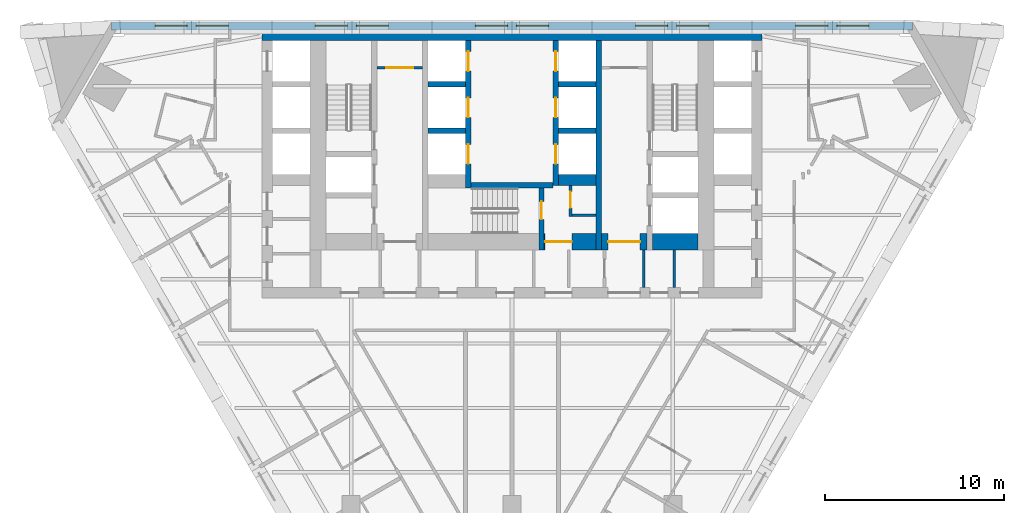
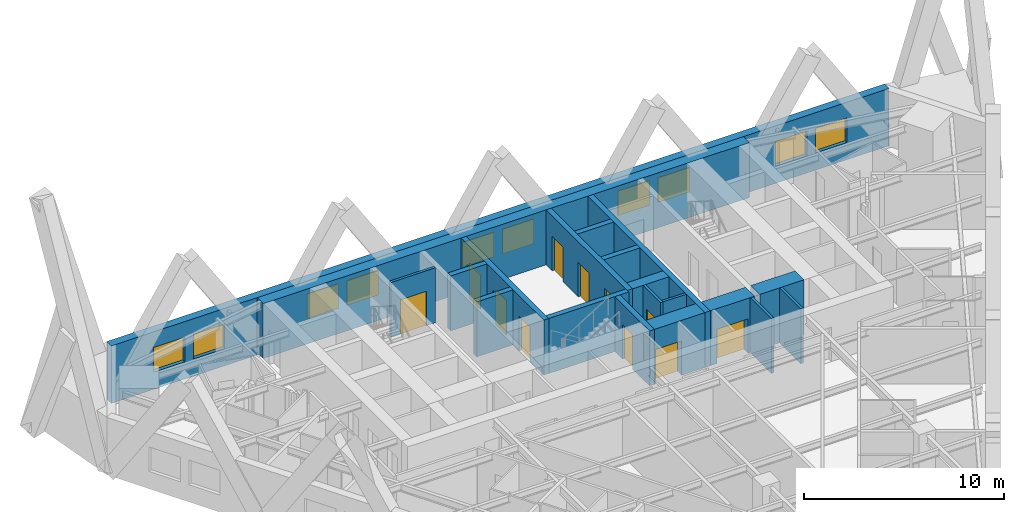
# One storey, part 7 of 11: 20 walls, 11 doors, 10 windows, 21 openings.
"""IFC4 building model written with IfcOpenShell, lengths in metres."""

from ifc_helpers import new_model, si_unit, direction, frame, frame_2d, origin, place, context, subcontext, project, spatial, polyline, rectangle, outline, extrude, material, layer, layer_set, type_object, element, fill, save


model = new_model("IFC4")

# Units and contexts
model_context = context("Model", 3, precision=1e-05, world=origin(), true_north=direction((0.0, 1.0)))
body_context = subcontext(model_context, "Body", "Model", "MODEL_VIEW")
ifc_project = project(units=[si_unit("LENGTHUNIT", "METRE"), si_unit("AREAUNIT", "SQUARE_METRE"), si_unit("VOLUMEUNIT", "CUBIC_METRE"), si_unit("PLANEANGLEUNIT", "RADIAN"), si_unit("MASSUNIT", "GRAM", prefix="KILO")], contexts=[model_context])

# Site, building, storey
site_placement = place(None, origin())
site = spatial("IfcSite", under=ifc_project, at=site_placement, CompositionType="ELEMENT")
building_placement = place(site_placement, origin())
building = spatial("IfcBuilding", under=site, at=building_placement, Name="Aloe Facet Convention Tower", CompositionType="ELEMENT")
storey_placement = place(building_placement, frame((0.0, 0.0, 63.0)))
storey = spatial("IfcBuildingStorey", under=building, at=storey_placement, Name="L14", CompositionType="ELEMENT", Elevation=63.0)

# Wall, opening, door
ifc_material_1 = material(Name="Concrete blockwork partition", Category="masonry")
ifc_layer_1 = layer(ifc_material_1, 0.14990234375)
ifc_layer_set_1 = layer_set([ifc_layer_1], Name="CR-W-PART150")
wall_type_1 = type_object("IfcWallType", Name="CR-W-PART150", PredefinedType="PARTITIONING", material=ifc_layer_set_1)
wall_1_placement = place(storey_placement, frame((72.449951171875, 132.425048828125, 0.0), z_axis=(0.0, 0.0, 1.0), x_axis=(1.0, 0.0, 0.0)))
wall_1 = element("IfcWall", 1, at=wall_1_placement, inside=storey, type_object=wall_type_1, Name="Core partition L14-015", PredefinedType="PARTITIONING", context=body_context, shape_type="SweptSolid", body=[
    extrude(rectangle(XDim=2.550048828125, YDim=0.14990234375, at=frame_2d((1.27490234375, 0.0))), origin(), (0.0, 0.0, 1.0), 3.35009765625),
])
opening_1_placement = place(wall_1_placement, frame((0.52490234375, 0.0, 0.0)))
opening_1 = element("IfcOpeningElement", 2, at=opening_1_placement, cuts=wall_1, Name="Opening L14-CD22", PredefinedType="OPENING", context=body_context, shape_type="SweptSolid", body=[
    extrude(rectangle(XDim=1.5, YDim=2.10009765625, at=frame_2d((0.75, 1.050048828125))), frame((0.0, 0.0849609375, 0.0), z_axis=(0.0, -1.0, 0.0), x_axis=(1.0, 0.0, 0.0)), (0.0, 0.0, 1.0), 0.169921875),
])
ifc_material_2 = material(Name="Steel fire-resisting door set FD60", Category="steel")
door_type_1 = type_object("IfcDoorType", Name="CR-D-REFUGE-1500-FD60-DD", OperationType="DOUBLE_DOOR_DOUBLE_SWING", PredefinedType="DOOR", material=ifc_material_2)
door_1_placement = place(opening_1_placement, origin())
door_1 = element("IfcDoor", 3, at=door_1_placement, inside=storey, type_object=door_type_1, Name="Core door L14-CD22", OperationType="DOUBLE_DOOR_DOUBLE_SWING", OverallHeight=2.10009765625, OverallWidth=1.5, PredefinedType="DOOR", context=body_context, shape_type="SweptSolid", body=[
    extrude(rectangle(XDim=1.5, YDim=2.10009765625, at=frame_2d((0.75, 1.050048828125))), frame((0.0, 0.02490234375, 0.0), z_axis=(0.0, -1.0, 0.0), x_axis=(1.0, 0.0, 0.0)), (0.0, 0.0, 1.0), 0.050048828125),
])
fill(opening_1, door_1)

wall_2_placement = place(storey_placement, frame((83.27490234375, 125.85009765625, 0.0), z_axis=(0.0, 0.0, 1.0), x_axis=(0.0, -1.0, 0.0)))
wall_2 = element("IfcWall", 4, at=wall_2_placement, inside=storey, type_object=wall_type_1, Name="Core partition L14-035", PredefinedType="PARTITIONING", context=body_context, shape_type="SweptSolid", body=[
    extrude(rectangle(XDim=1.75, YDim=0.14990234375, at=frame_2d((0.875, 0.0))), origin(), (0.0, 0.0, 1.0), 3.35009765625),
])
opening_2_placement = place(wall_2_placement, frame((0.35009765625, 0.0, 0.0)))
opening_2 = element("IfcOpeningElement", 5, at=opening_2_placement, cuts=wall_2, Name="Opening L14-CD20", PredefinedType="OPENING", context=body_context, shape_type="SweptSolid", body=[
    extrude(rectangle(XDim=0.89990234375, YDim=2.10009765625, at=frame_2d((0.449951171875, 1.050048828125))), frame((0.0, 0.0849609375, 0.0), z_axis=(0.0, -1.0, 0.0), x_axis=(1.0, 0.0, 0.0)), (0.0, 0.0, 1.0), 0.169921875),
])
ifc_material_3 = material(Name="Steel fire-resisting door set FD60", Category="steel")
door_type_2 = type_object("IfcDoorType", Name="CR-D-REFUGE-900-FD60-SRIGHT", OperationType="SINGLE_SWING_RIGHT", PredefinedType="DOOR", material=ifc_material_3)
door_2_placement = place(opening_2_placement, origin())
door_2 = element("IfcDoor", 6, at=door_2_placement, inside=storey, type_object=door_type_2, Name="Core door L14-CD20", OperationType="SINGLE_SWING_RIGHT", OverallHeight=2.10009765625, OverallWidth=0.89990234375, PredefinedType="DOOR", context=body_context, shape_type="SweptSolid", body=[
    extrude(rectangle(XDim=0.89990234375, YDim=2.10009765625, at=frame_2d((0.449951171875, 1.050048828125))), frame((0.0, 0.02490234375, 0.0), z_axis=(0.0, -1.0, 0.0), x_axis=(1.0, 0.0, 0.0)), (0.0, 0.0, 1.0), 0.050048828125),
])
fill(opening_2, door_2)

# Walls
wall_3_placement = place(storey_placement, frame((83.35009765625, 124.175048828125, 0.0), z_axis=(0.0, 0.0, 1.0), x_axis=(1.0, 0.0, 0.0)))
element("IfcWall", 7, at=wall_3_placement, inside=storey, type_object=wall_type_1, Name="Core partition L14-036", PredefinedType="PARTITIONING", context=body_context, shape_type="SweptSolid", body=[
    extrude(rectangle(XDim=1.349853515625, YDim=0.14990234375, at=frame_2d((0.6748046875, 0.0))), origin(), (0.0, 0.0, 1.0), 3.35009765625),
])
for number, where, z_axis, x_axis, name in (
    (8, (87.375, 122.25, 0.0), (0.0, 0.0, 1.0), (0.0, -1.0, 0.0), "Core partition L14-041"),
    (9, (89.074951171875, 122.25, 0.0), (0.0, 0.0, 1.0), (0.0, -1.0, 0.0), "Core partition L14-046"),
):
    element("IfcWall", number, at=place(storey_placement, frame(where, z_axis=z_axis, x_axis=x_axis)), inside=storey, type_object=wall_type_1, Name=name, PredefinedType="PARTITIONING", context=body_context, shape_type="SweptSolid", body=[
        extrude(rectangle(XDim=2.10009765625, YDim=0.14990234375, at=frame_2d((1.050048828125, 0.0))), origin(), (0.0, 0.0, 1.0), 3.35009765625),
    ])
ifc_material_4 = material(Name="Concrete C80/95", Category="concrete")
ifc_layer_2 = layer(ifc_material_4, 0.300048828125)
ifc_layer_set_2 = layer_set([ifc_layer_2], Name="CR-W-RC300-C8095")
wall_type_2 = type_object("IfcWallType", Name="CR-W-RC300-C8095", PredefinedType="SOLIDWALL", material=ifc_layer_set_2)
for number, where, z_axis, x_axis, name in (
    (10, (75.300048828125, 131.5, 0.0), (0.0, 0.0, 1.0), (1.0, 0.0, 0.0), "Core wall L14-020"),
    (11, (75.300048828125, 128.89990234375, 0.0), (0.0, 0.0, 1.0), (1.0, 0.0, 0.0), "Core wall L14-021"),
):
    element("IfcWall", number, at=place(storey_placement, frame(where, z_axis=z_axis, x_axis=x_axis)), inside=storey, type_object=wall_type_2, Name=name, PredefinedType="SOLIDWALL", context=body_context, shape_type="SweptSolid", body=[
        extrude(rectangle(XDim=2.099853515625, YDim=0.300048828125, at=frame_2d((1.0498046875, 0.0))), origin(), (0.0, 0.0, 1.0), 3.35009765625),
    ])

# Wall, openings, doors
wall_4_placement = place(storey_placement, frame((77.550048828125, 133.949951171875, 0.0), z_axis=(0.0, 0.0, 1.0), x_axis=(0.0, -1.0, 0.0)))
wall_4 = element("IfcWall", 12, at=wall_4_placement, inside=storey, type_object=wall_type_2, Name="Core wall L14-024", PredefinedType="SOLIDWALL", context=body_context, shape_type="SweptSolid", body=[
    extrude(rectangle(XDim=8.25, YDim=0.300048828125, at=frame_2d((4.125, 0.0))), origin(), (0.0, 0.0, 1.0), 3.35009765625),
])
opening_3_placement = place(wall_4_placement, frame((0.60009765625, 0.0, 0.0)))
opening_3 = element("IfcOpeningElement", 13, at=opening_3_placement, cuts=wall_4, Name="Opening LD-A1-L14", PredefinedType="OPENING", context=body_context, shape_type="SweptSolid", body=[
    extrude(rectangle(XDim=1.10009765625, YDim=2.10009765625, at=frame_2d((0.550048828125, 1.050048828125))), frame((0.0, 0.16015625, 0.0), z_axis=(0.0, -1.0, 0.0), x_axis=(1.0, 0.0, 0.0)), (0.0, 0.0, 1.0), 0.320068359375),
])
opening_4_placement = place(wall_4_placement, frame((3.199951171875, 0.0, 0.0)))
opening_4 = element("IfcOpeningElement", 14, at=opening_4_placement, cuts=wall_4, Name="Opening LD-A2-L14", PredefinedType="OPENING", context=body_context, shape_type="SweptSolid", body=[
    extrude(rectangle(XDim=1.10009765625, YDim=2.10009765625, at=frame_2d((0.550048828125, 1.050048828125))), frame((0.0, 0.16015625, 0.0), z_axis=(0.0, -1.0, 0.0), x_axis=(1.0, 0.0, 0.0)), (0.0, 0.0, 1.0), 0.320068359375),
])
opening_5_placement = place(wall_4_placement, frame((5.800048828125, 0.0, 0.0)))
opening_5 = element("IfcOpeningElement", 15, at=opening_5_placement, cuts=wall_4, Name="Opening LD-A3-L14", PredefinedType="OPENING", context=body_context, shape_type="SweptSolid", body=[
    extrude(rectangle(XDim=1.10009765625, YDim=2.10009765625, at=frame_2d((0.550048828125, 1.050048828125))), frame((0.0, 0.16015625, 0.0), z_axis=(0.0, -1.0, 0.0), x_axis=(1.0, 0.0, 0.0)), (0.0, 0.0, 1.0), 0.320068359375),
])
ifc_material_5 = material(Name="Stainless steel sliding landing door", Category="steel")
door_type_3 = type_object("IfcDoorType", Name="CR-LD-1100-FD60-RIGHT", OperationType="SLIDING_TO_RIGHT", PredefinedType="DOOR", material=ifc_material_5)
door_3_placement = place(opening_3_placement, origin())
door_3 = element("IfcDoor", 16, at=door_3_placement, inside=storey, type_object=door_type_3, Name="Landing door A1 L14", OperationType="SLIDING_TO_RIGHT", OverallHeight=2.10009765625, OverallWidth=1.10009765625, PredefinedType="DOOR", context=body_context, shape_type="SweptSolid", body=[
    extrude(rectangle(XDim=1.10009765625, YDim=2.10009765625, at=frame_2d((0.550048828125, 1.050048828125))), frame((0.0, 0.02490234375, 0.0), z_axis=(0.0, -1.0, 0.0), x_axis=(1.0, 0.0, 0.0)), (0.0, 0.0, 1.0), 0.050048828125),
])
fill(opening_3, door_3)
door_4_placement = place(opening_4_placement, origin())
door_4 = element("IfcDoor", 17, at=door_4_placement, inside=storey, type_object=door_type_3, Name="Landing door A2 L14", OperationType="SLIDING_TO_RIGHT", OverallHeight=2.10009765625, OverallWidth=1.10009765625, PredefinedType="DOOR", context=body_context, shape_type="SweptSolid", body=[
    extrude(rectangle(XDim=1.10009765625, YDim=2.10009765625, at=frame_2d((0.550048828125, 1.050048828125))), frame((0.0, 0.02490234375, 0.0), z_axis=(0.0, -1.0, 0.0), x_axis=(1.0, 0.0, 0.0)), (0.0, 0.0, 1.0), 0.050048828125),
])
fill(opening_4, door_4)
door_5_placement = place(opening_5_placement, origin())
door_5 = element("IfcDoor", 18, at=door_5_placement, inside=storey, type_object=door_type_3, Name="Landing door A3 L14", OperationType="SLIDING_TO_RIGHT", OverallHeight=2.10009765625, OverallWidth=1.10009765625, PredefinedType="DOOR", context=body_context, shape_type="SweptSolid", body=[
    extrude(rectangle(XDim=1.10009765625, YDim=2.10009765625, at=frame_2d((0.550048828125, 1.050048828125))), frame((0.0, 0.02490234375, 0.0), z_axis=(0.0, -1.0, 0.0), x_axis=(1.0, 0.0, 0.0)), (0.0, 0.0, 1.0), 0.050048828125),
])
fill(opening_5, door_5)

# Wall
wall_5_placement = place(storey_placement, frame((77.699951171875, 125.85009765625, 0.0), z_axis=(0.0, 0.0, 1.0), x_axis=(1.0, 0.0, 0.0)))
element("IfcWall", 19, at=wall_5_placement, inside=storey, type_object=wall_type_2, Name="Core wall L14-025", PredefinedType="SOLIDWALL", context=body_context, shape_type="SweptSolid", body=[
    extrude(rectangle(XDim=4.60009765625, YDim=0.300048828125, at=frame_2d((2.300048828125, 0.0))), origin(), (0.0, 0.0, 1.0), 3.35009765625),
])

# Wall, opening, door
wall_6_placement = place(storey_placement, frame((81.64990234375, 125.699951171875, 0.0), z_axis=(0.0, 0.0, 1.0), x_axis=(0.0, -1.0, 0.0)))
wall_6 = element("IfcWall", 20, at=wall_6_placement, inside=storey, type_object=wall_type_2, Name="Core wall L14-028", PredefinedType="SOLIDWALL", context=body_context, shape_type="SweptSolid", body=[
    extrude(rectangle(XDim=3.449951171875, YDim=0.300048828125, at=frame_2d((1.72509765625, 0.0))), origin(), (0.0, 0.0, 1.0), 3.35009765625),
])
opening_6_placement = place(wall_6_placement, frame((0.75, 0.0, 0.0)))
opening_6 = element("IfcOpeningElement", 21, at=opening_6_placement, cuts=wall_6, Name="Opening L14-CD32", PredefinedType="OPENING", context=body_context, shape_type="SweptSolid", body=[
    extrude(rectangle(XDim=1.0, YDim=2.10009765625, at=frame_2d((0.5, 1.050048828125))), frame((0.0, 0.16015625, 0.0), z_axis=(0.0, -1.0, 0.0), x_axis=(1.0, 0.0, 0.0)), (0.0, 0.0, 1.0), 0.320068359375),
])
ifc_material_6 = material(Name="Steel fire-resisting door set FD120", Category="steel")
door_type_4 = type_object("IfcDoorType", Name="CR-D-STAIR-1000-FD120-SLEFT", OperationType="SINGLE_SWING_LEFT", PredefinedType="DOOR", material=ifc_material_6)
door_6_placement = place(opening_6_placement, origin())
door_6 = element("IfcDoor", 22, at=door_6_placement, inside=storey, type_object=door_type_4, Name="Core door L14-CD32", OperationType="SINGLE_SWING_LEFT", OverallHeight=2.10009765625, OverallWidth=1.0, PredefinedType="DOOR", context=body_context, shape_type="SweptSolid", body=[
    extrude(rectangle(XDim=1.0, YDim=2.10009765625, at=frame_2d((0.5, 1.050048828125))), frame((0.0, 0.02490234375, 0.0), z_axis=(0.0, -1.0, 0.0), x_axis=(1.0, 0.0, 0.0)), (0.0, 0.0, 1.0), 0.050048828125),
])
fill(opening_6, door_6)

# Wall, openings, doors
wall_7_placement = place(storey_placement, frame((82.449951171875, 133.949951171875, 0.0), z_axis=(0.0, 0.0, 1.0), x_axis=(0.0, -1.0, 0.0)))
wall_7 = element("IfcWall", 23, at=wall_7_placement, inside=storey, type_object=wall_type_2, Name="Core wall L14-030", PredefinedType="SOLIDWALL", context=body_context, shape_type="SweptSolid", body=[
    extrude(rectangle(XDim=8.099853515625, YDim=0.300048828125, at=frame_2d((4.0498046875, 0.0))), origin(), (0.0, 0.0, 1.0), 3.35009765625),
])
opening_7_placement = place(wall_7_placement, frame((0.60009765625, 0.0, 0.0)))
opening_7 = element("IfcOpeningElement", 24, at=opening_7_placement, cuts=wall_7, Name="Opening LD-A4-L14", PredefinedType="OPENING", context=body_context, shape_type="SweptSolid", body=[
    extrude(rectangle(XDim=1.10009765625, YDim=2.10009765625, at=frame_2d((0.550048828125, 1.050048828125))), frame((0.0, 0.16015625, 0.0), z_axis=(0.0, -1.0, 0.0), x_axis=(1.0, 0.0, 0.0)), (0.0, 0.0, 1.0), 0.320068359375),
])
opening_8_placement = place(wall_7_placement, frame((3.199951171875, 0.0, 0.0)))
opening_8 = element("IfcOpeningElement", 25, at=opening_8_placement, cuts=wall_7, Name="Opening LD-A5-L14", PredefinedType="OPENING", context=body_context, shape_type="SweptSolid", body=[
    extrude(rectangle(XDim=1.10009765625, YDim=2.10009765625, at=frame_2d((0.550048828125, 1.050048828125))), frame((0.0, 0.16015625, 0.0), z_axis=(0.0, -1.0, 0.0), x_axis=(1.0, 0.0, 0.0)), (0.0, 0.0, 1.0), 0.320068359375),
])
opening_9_placement = place(wall_7_placement, frame((5.800048828125, 0.0, 0.0)))
opening_9 = element("IfcOpeningElement", 26, at=opening_9_placement, cuts=wall_7, Name="Opening LD-A6-L14", PredefinedType="OPENING", context=body_context, shape_type="SweptSolid", body=[
    extrude(rectangle(XDim=1.10009765625, YDim=2.10009765625, at=frame_2d((0.550048828125, 1.050048828125))), frame((0.0, 0.16015625, 0.0), z_axis=(0.0, -1.0, 0.0), x_axis=(1.0, 0.0, 0.0)), (0.0, 0.0, 1.0), 0.320068359375),
])
ifc_material_7 = material(Name="Stainless steel sliding landing door", Category="steel")
door_type_5 = type_object("IfcDoorType", Name="CR-LD-1100-FD60-_LEFT", OperationType="SLIDING_TO_LEFT", PredefinedType="DOOR", material=ifc_material_7)
door_7_placement = place(opening_7_placement, origin())
door_7 = element("IfcDoor", 27, at=door_7_placement, inside=storey, type_object=door_type_5, Name="Landing door A4 L14", OperationType="SLIDING_TO_LEFT", OverallHeight=2.10009765625, OverallWidth=1.10009765625, PredefinedType="DOOR", context=body_context, shape_type="SweptSolid", body=[
    extrude(rectangle(XDim=1.10009765625, YDim=2.10009765625, at=frame_2d((0.550048828125, 1.050048828125))), frame((0.0, 0.02490234375, 0.0), z_axis=(0.0, -1.0, 0.0), x_axis=(1.0, 0.0, 0.0)), (0.0, 0.0, 1.0), 0.050048828125),
])
fill(opening_7, door_7)
door_8_placement = place(opening_8_placement, origin())
door_8 = element("IfcDoor", 28, at=door_8_placement, inside=storey, type_object=door_type_5, Name="Landing door A5 L14", OperationType="SLIDING_TO_LEFT", OverallHeight=2.10009765625, OverallWidth=1.10009765625, PredefinedType="DOOR", context=body_context, shape_type="SweptSolid", body=[
    extrude(rectangle(XDim=1.10009765625, YDim=2.10009765625, at=frame_2d((0.550048828125, 1.050048828125))), frame((0.0, 0.02490234375, 0.0), z_axis=(0.0, -1.0, 0.0), x_axis=(1.0, 0.0, 0.0)), (0.0, 0.0, 1.0), 0.050048828125),
])
fill(opening_8, door_8)
door_9_placement = place(opening_9_placement, origin())
door_9 = element("IfcDoor", 29, at=door_9_placement, inside=storey, type_object=door_type_5, Name="Landing door A6 L14", OperationType="SLIDING_TO_LEFT", OverallHeight=2.10009765625, OverallWidth=1.10009765625, PredefinedType="DOOR", context=body_context, shape_type="SweptSolid", body=[
    extrude(rectangle(XDim=1.10009765625, YDim=2.10009765625, at=frame_2d((0.550048828125, 1.050048828125))), frame((0.0, 0.02490234375, 0.0), z_axis=(0.0, -1.0, 0.0), x_axis=(1.0, 0.0, 0.0)), (0.0, 0.0, 1.0), 0.050048828125),
])
fill(opening_9, door_9)

# Walls
for number, where, z_axis, x_axis, name in (
    (30, (82.60009765625, 131.5, 0.0), (0.0, 0.0, 1.0), (1.0, 0.0, 0.0), "Core wall L14-031"),
    (31, (82.60009765625, 128.89990234375, 0.0), (0.0, 0.0, 1.0), (1.0, 0.0, 0.0), "Core wall L14-032"),
):
    element("IfcWall", number, at=place(storey_placement, frame(where, z_axis=z_axis, x_axis=x_axis)), inside=storey, type_object=wall_type_2, Name=name, PredefinedType="SOLIDWALL", context=body_context, shape_type="SweptSolid", body=[
        extrude(rectangle(XDim=2.099853515625, YDim=0.300048828125, at=frame_2d((1.0498046875, 0.0))), origin(), (0.0, 0.0, 1.0), 3.35009765625),
    ])
wall_8_placement = place(storey_placement, frame((84.85009765625, 133.949951171875, 0.0), z_axis=(0.0, 0.0, 1.0), x_axis=(0.0, -1.0, 0.0)))
element("IfcWall", 32, at=wall_8_placement, inside=storey, type_object=wall_type_2, Name="Core wall L14-037", PredefinedType="SOLIDWALL", context=body_context, shape_type="SweptSolid", body=[
    extrude(rectangle(XDim=11.699951171875, YDim=0.300048828125, at=frame_2d((5.85009765625, 0.0))), origin(), (0.0, 0.0, 1.0), 3.35009765625),
])
ifc_material_8 = material(Name="Concrete C80/95", Category="concrete")
ifc_layer_3 = layer(ifc_material_8, 0.60009765625)
ifc_layer_set_3 = layer_set([ifc_layer_3], Name="CR-W-RC600-C8095")
wall_type_3 = type_object("IfcWallType", Name="CR-W-RC600-C8095", PredefinedType="SOLIDWALL", material=ifc_layer_set_3)
wall_9_placement = place(storey_placement, frame((66.0, 134.25, 0.0), z_axis=(0.0, 0.0, 1.0), x_axis=(1.0, 0.0, 0.0)))
element("IfcWall", 33, at=wall_9_placement, inside=storey, type_object=wall_type_3, Name="Core wall L14-001", PredefinedType="SOLIDWALL", context=body_context, shape_type="SweptSolid", body=[
    extrude(rectangle(XDim=28.0, YDim=0.60009765625, at=frame_2d((14.0, 0.0))), origin(), (0.0, 0.0, 1.0), 3.35009765625),
])
wall_10_placement = place(storey_placement, frame((82.60009765625, 126.14990234375, 0.0), z_axis=(0.0, 0.0, 1.0), x_axis=(1.0, 0.0, 0.0)))
element("IfcWall", 34, at=wall_10_placement, inside=storey, type_object=wall_type_3, Name="Core wall L14-033", PredefinedType="SOLIDWALL", context=body_context, shape_type="SweptSolid", body=[
    extrude(rectangle(XDim=2.099853515625, YDim=0.60009765625, at=frame_2d((1.0498046875, 0.0))), origin(), (0.0, 0.0, 1.0), 3.35009765625),
])

# Wall, opening, door
ifc_material_9 = material(Name="Concrete C80/95", Category="concrete")
ifc_layer_4 = layer(ifc_material_9, 0.89990234375)
ifc_layer_set_4 = layer_set([ifc_layer_4], Name="CR-W-RC900-C8095")
wall_type_4 = type_object("IfcWallType", Name="CR-W-RC900-C8095", PredefinedType="SOLIDWALL", material=ifc_layer_set_4)
wall_11_placement = place(storey_placement, frame((81.800048828125, 122.699951171875, 0.0), z_axis=(0.0, 0.0, 1.0), x_axis=(1.0, 0.0, 0.0)))
wall_11 = element("IfcWall", 35, at=wall_11_placement, inside=storey, type_object=wall_type_4, Name="Core wall L14-029", PredefinedType="SOLIDWALL", context=body_context, shape_type="SweptSolid", body=[
    extrude(rectangle(XDim=2.89990234375, YDim=0.89990234375, at=frame_2d((1.449951171875, 0.0))), origin(), (0.0, 0.0, 1.0), 3.35009765625),
])
opening_10_placement = place(wall_11_placement, frame((0.050048828125, 0.0, 0.0)))
opening_10 = element("IfcOpeningElement", 36, at=opening_10_placement, cuts=wall_11, Name="Opening L14-CD16", PredefinedType="OPENING", context=body_context, shape_type="SweptSolid", body=[
    extrude(rectangle(XDim=1.5, YDim=2.10009765625, at=frame_2d((0.75, 1.050048828125))), frame((0.0, 0.4599609375, 0.0), z_axis=(0.0, -1.0, 0.0), x_axis=(1.0, 0.0, 0.0)), (0.0, 0.0, 1.0), 0.919921875),
])
ifc_material_10 = material(Name="Steel fire-resisting door set FD60", Category="steel")
door_type_6 = type_object("IfcDoorType", Name="CR-D-EXIT-1500-FD60-DD", OperationType="DOUBLE_DOOR_DOUBLE_SWING", PredefinedType="DOOR", material=ifc_material_10)
door_10_placement = place(opening_10_placement, origin())
door_10 = element("IfcDoor", 37, at=door_10_placement, inside=storey, type_object=door_type_6, Name="Core door L14-CD16", OperationType="DOUBLE_DOOR_DOUBLE_SWING", OverallHeight=2.10009765625, OverallWidth=1.5, PredefinedType="DOOR", context=body_context, shape_type="SweptSolid", body=[
    extrude(rectangle(XDim=1.5, YDim=2.10009765625, at=frame_2d((0.75, 1.050048828125))), frame((0.0, 0.02490234375, 0.0), z_axis=(0.0, -1.0, 0.0), x_axis=(1.0, 0.0, 0.0)), (0.0, 0.0, 1.0), 0.050048828125),
])
fill(opening_10, door_10)

wall_12_placement = place(storey_placement, frame((85.0, 122.699951171875, 0.0), z_axis=(0.0, 0.0, 1.0), x_axis=(1.0, 0.0, 0.0)))
wall_12 = element("IfcWall", 38, at=wall_12_placement, inside=storey, type_object=wall_type_4, Name="Core wall L14-039", PredefinedType="SOLIDWALL", context=body_context, shape_type="SweptSolid", body=[
    extrude(rectangle(XDim=2.550048828125, YDim=0.89990234375, at=frame_2d((1.27490234375, 0.0))), origin(), (0.0, 0.0, 1.0), 3.35009765625),
])
opening_11_placement = place(wall_12_placement, frame((0.375, 0.0, 0.0)))
opening_11 = element("IfcOpeningElement", 39, at=opening_11_placement, cuts=wall_12, Name="Opening L14-CD14", PredefinedType="OPENING", context=body_context, shape_type="SweptSolid", body=[
    extrude(rectangle(XDim=1.800048828125, YDim=2.10009765625, at=frame_2d((0.89990234375, 1.050048828125))), frame((0.0, 0.4599609375, 0.0), z_axis=(0.0, -1.0, 0.0), x_axis=(1.0, 0.0, 0.0)), (0.0, 0.0, 1.0), 0.919921875),
])
ifc_material_11 = material(Name="Steel fire-resisting door set FD120", Category="steel")
door_type_7 = type_object("IfcDoorType", Name="CR-D-EXIT-1800-FD120-DD", OperationType="DOUBLE_DOOR_DOUBLE_SWING", PredefinedType="DOOR", material=ifc_material_11)
door_11_placement = place(opening_11_placement, origin())
door_11 = element("IfcDoor", 40, at=door_11_placement, inside=storey, type_object=door_type_7, Name="Core door L14-CD14", OperationType="DOUBLE_DOOR_DOUBLE_SWING", OverallHeight=2.10009765625, OverallWidth=1.800048828125, PredefinedType="DOOR", context=body_context, shape_type="SweptSolid", body=[
    extrude(rectangle(XDim=1.800048828125, YDim=2.10009765625, at=frame_2d((0.89990234375, 1.050048828125))), frame((0.0, 0.02490234375, 0.0), z_axis=(0.0, -1.0, 0.0), x_axis=(1.0, 0.0, 0.0)), (0.0, 0.0, 1.0), 0.050048828125),
])
fill(opening_11, door_11)

# Wall
wall_13_placement = place(storey_placement, frame((87.85009765625, 122.699951171875, 0.0), z_axis=(0.0, 0.0, 1.0), x_axis=(1.0, 0.0, 0.0)))
element("IfcWall", 41, at=wall_13_placement, inside=storey, type_object=wall_type_4, Name="Core wall L14-045", PredefinedType="SOLIDWALL", context=body_context, shape_type="SweptSolid", body=[
    extrude(rectangle(XDim=2.5498046875, YDim=0.89990234375, at=frame_2d((1.27490234375, 0.0))), origin(), (0.0, 0.0, 1.0), 3.35009765625),
])

# Wall, openings, windows
ifc_material_12 = material(Name="Precast concrete C40/50", Category="concrete")
ifc_layer_5 = layer(ifc_material_12, 0.449951171875)
ifc_layer_set_5 = layer_set([ifc_layer_5], Name="EV-WALL-STONE")
wall_type_5 = type_object("IfcWallType", Name="EV-WALL-STONE", PredefinedType="SOLIDWALL", material=ifc_layer_set_5)
wall_14_placement = place(storey_placement, frame((102.39990234375, 134.77490234375, -0.14990234375), z_axis=(0.0, 0.0, 1.0), x_axis=(-1.0, 0.0, 0.0)))
wall_14 = element("IfcWall", 42, at=wall_14_placement, inside=storey, type_object=wall_type_5, Name="EW-L14-N01", PredefinedType="SOLIDWALL", context=body_context, shape_type="SweptSolid", body=[
    extrude(outline(polyline([(44.800048828125, 0.0), (44.800048828125, 3.5), (0.0, 3.5), (0.0, 0.0), (44.800048828125, 0.0)])), frame((0.0, 0.22509765625, 0.0), z_axis=(0.0, -1.0, 0.0), x_axis=(1.0, 0.0, 0.0)), (0.0, 0.0, 1.0), 0.449951171875),
])
opening_12_placement = place(wall_14_placement, frame((2.429931640625, 0.0, 1.050048828125)))
opening_12 = element("IfcOpeningElement", 43, at=opening_12_placement, cuts=wall_14, Name="Opening W-L14-N01", PredefinedType="OPENING", context=body_context, shape_type="SweptSolid", body=[
    extrude(rectangle(XDim=1.800048828125, YDim=1.5, at=frame_2d((0.89990234375, 0.75))), frame((0.0, 0.23486328125, 0.0), z_axis=(0.0, -1.0, 0.0), x_axis=(1.0, 0.0, 0.0)), (0.0, 0.0, 1.0), 0.469970703125),
])
opening_13_placement = place(wall_14_placement, frame((4.72998046875, 0.0, 1.050048828125)))
opening_13 = element("IfcOpeningElement", 44, at=opening_13_placement, cuts=wall_14, Name="Opening W-L14-N02", PredefinedType="OPENING", context=body_context, shape_type="SweptSolid", body=[
    extrude(rectangle(XDim=1.800048828125, YDim=1.5, at=frame_2d((0.89990234375, 0.75))), frame((0.0, 0.23486328125, 0.0), z_axis=(0.0, -1.0, 0.0), x_axis=(1.0, 0.0, 0.0)), (0.0, 0.0, 1.0), 0.469970703125),
])
opening_14_placement = place(wall_14_placement, frame((11.389892578125, 0.0, 1.050048828125)))
opening_14 = element("IfcOpeningElement", 45, at=opening_14_placement, cuts=wall_14, Name="Opening W-L14-N03", PredefinedType="OPENING", context=body_context, shape_type="SweptSolid", body=[
    extrude(rectangle(XDim=1.800048828125, YDim=1.5, at=frame_2d((0.89990234375, 0.75))), frame((0.0, 0.23486328125, 0.0), z_axis=(0.0, -1.0, 0.0), x_axis=(1.0, 0.0, 0.0)), (0.0, 0.0, 1.0), 0.469970703125),
])
opening_15_placement = place(wall_14_placement, frame((13.68994140625, 0.0, 1.050048828125)))
opening_15 = element("IfcOpeningElement", 46, at=opening_15_placement, cuts=wall_14, Name="Opening W-L14-N04", PredefinedType="OPENING", context=body_context, shape_type="SweptSolid", body=[
    extrude(rectangle(XDim=1.800048828125, YDim=1.5, at=frame_2d((0.89990234375, 0.75))), frame((0.0, 0.23486328125, 0.0), z_axis=(0.0, -1.0, 0.0), x_axis=(1.0, 0.0, 0.0)), (0.0, 0.0, 1.0), 0.469970703125),
])
opening_16_placement = place(wall_14_placement, frame((20.35009765625, 0.0, 1.050048828125)))
opening_16 = element("IfcOpeningElement", 47, at=opening_16_placement, cuts=wall_14, Name="Opening W-L14-N05", PredefinedType="OPENING", context=body_context, shape_type="SweptSolid", body=[
    extrude(rectangle(XDim=1.800048828125, YDim=1.5, at=frame_2d((0.89990234375, 0.75))), frame((0.0, 0.23486328125, 0.0), z_axis=(0.0, -1.0, 0.0), x_axis=(1.0, 0.0, 0.0)), (0.0, 0.0, 1.0), 0.469970703125),
])
opening_17_placement = place(wall_14_placement, frame((22.64990234375, 0.0, 1.050048828125)))
opening_17 = element("IfcOpeningElement", 48, at=opening_17_placement, cuts=wall_14, Name="Opening W-L14-N06", PredefinedType="OPENING", context=body_context, shape_type="SweptSolid", body=[
    extrude(rectangle(XDim=1.800048828125, YDim=1.5, at=frame_2d((0.89990234375, 0.75))), frame((0.0, 0.23486328125, 0.0), z_axis=(0.0, -1.0, 0.0), x_axis=(1.0, 0.0, 0.0)), (0.0, 0.0, 1.0), 0.469970703125),
])
opening_18_placement = place(wall_14_placement, frame((29.31005859375, 0.0, 1.050048828125)))
opening_18 = element("IfcOpeningElement", 49, at=opening_18_placement, cuts=wall_14, Name="Opening W-L14-N07", PredefinedType="OPENING", context=body_context, shape_type="SweptSolid", body=[
    extrude(rectangle(XDim=1.800048828125, YDim=1.5, at=frame_2d((0.89990234375, 0.75))), frame((0.0, 0.23486328125, 0.0), z_axis=(0.0, -1.0, 0.0), x_axis=(1.0, 0.0, 0.0)), (0.0, 0.0, 1.0), 0.469970703125),
])
opening_19_placement = place(wall_14_placement, frame((31.610107421875, 0.0, 1.050048828125)))
opening_19 = element("IfcOpeningElement", 50, at=opening_19_placement, cuts=wall_14, Name="Opening W-L14-N08", PredefinedType="OPENING", context=body_context, shape_type="SweptSolid", body=[
    extrude(rectangle(XDim=1.800048828125, YDim=1.5, at=frame_2d((0.89990234375, 0.75))), frame((0.0, 0.23486328125, 0.0), z_axis=(0.0, -1.0, 0.0), x_axis=(1.0, 0.0, 0.0)), (0.0, 0.0, 1.0), 0.469970703125),
])
opening_20_placement = place(wall_14_placement, frame((38.27001953125, 0.0, 1.050048828125)))
opening_20 = element("IfcOpeningElement", 51, at=opening_20_placement, cuts=wall_14, Name="Opening W-L14-N09", PredefinedType="OPENING", context=body_context, shape_type="SweptSolid", body=[
    extrude(rectangle(XDim=1.800048828125, YDim=1.5, at=frame_2d((0.89990234375, 0.75))), frame((0.0, 0.23486328125, 0.0), z_axis=(0.0, -1.0, 0.0), x_axis=(1.0, 0.0, 0.0)), (0.0, 0.0, 1.0), 0.469970703125),
])
opening_21_placement = place(wall_14_placement, frame((40.570068359375, 0.0, 1.050048828125)))
opening_21 = element("IfcOpeningElement", 52, at=opening_21_placement, cuts=wall_14, Name="Opening W-L14-N10", PredefinedType="OPENING", context=body_context, shape_type="SweptSolid", body=[
    extrude(rectangle(XDim=1.800048828125, YDim=1.5, at=frame_2d((0.89990234375, 0.75))), frame((0.0, 0.23486328125, 0.0), z_axis=(0.0, -1.0, 0.0), x_axis=(1.0, 0.0, 0.0)), (0.0, 0.0, 1.0), 0.469970703125),
])
ifc_material_13 = material(Name="Aluminium frame, clear double glazing", Category="aluminium")
window_type = type_object("IfcWindowType", Name="EV-WIN-H18", PartitioningType="SINGLE_PANEL", PredefinedType="WINDOW", material=ifc_material_13)
window_1_placement = place(opening_12_placement, origin())
window_1 = element("IfcWindow", 53, at=window_1_placement, inside=storey, type_object=window_type, Name="W-L14-N01", OverallHeight=1.5, OverallWidth=1.800048828125, PartitioningType="SINGLE_PANEL", PredefinedType="WINDOW", context=body_context, shape_type="SweptSolid", body=[
    extrude(rectangle(XDim=1.800048828125, YDim=1.5, at=frame_2d((0.89990234375, 0.75))), frame((0.0, 0.030029296875, 0.0), z_axis=(0.0, -1.0, 0.0), x_axis=(1.0, 0.0, 0.0)), (0.0, 0.0, 1.0), 0.06005859375),
])
fill(opening_12, window_1)
window_2_placement = place(opening_13_placement, origin())
window_2 = element("IfcWindow", 54, at=window_2_placement, inside=storey, type_object=window_type, Name="W-L14-N02", OverallHeight=1.5, OverallWidth=1.800048828125, PartitioningType="SINGLE_PANEL", PredefinedType="WINDOW", context=body_context, shape_type="SweptSolid", body=[
    extrude(rectangle(XDim=1.800048828125, YDim=1.5, at=frame_2d((0.89990234375, 0.75))), frame((0.0, 0.030029296875, 0.0), z_axis=(0.0, -1.0, 0.0), x_axis=(1.0, 0.0, 0.0)), (0.0, 0.0, 1.0), 0.06005859375),
])
fill(opening_13, window_2)
window_3_placement = place(opening_14_placement, origin())
window_3 = element("IfcWindow", 55, at=window_3_placement, inside=storey, type_object=window_type, Name="W-L14-N03", OverallHeight=1.5, OverallWidth=1.800048828125, PartitioningType="SINGLE_PANEL", PredefinedType="WINDOW", context=body_context, shape_type="SweptSolid", body=[
    extrude(rectangle(XDim=1.800048828125, YDim=1.5, at=frame_2d((0.89990234375, 0.75))), frame((0.0, 0.030029296875, 0.0), z_axis=(0.0, -1.0, 0.0), x_axis=(1.0, 0.0, 0.0)), (0.0, 0.0, 1.0), 0.06005859375),
])
fill(opening_14, window_3)
window_4_placement = place(opening_15_placement, origin())
window_4 = element("IfcWindow", 56, at=window_4_placement, inside=storey, type_object=window_type, Name="W-L14-N04", OverallHeight=1.5, OverallWidth=1.800048828125, PartitioningType="SINGLE_PANEL", PredefinedType="WINDOW", context=body_context, shape_type="SweptSolid", body=[
    extrude(rectangle(XDim=1.800048828125, YDim=1.5, at=frame_2d((0.89990234375, 0.75))), frame((0.0, 0.030029296875, 0.0), z_axis=(0.0, -1.0, 0.0), x_axis=(1.0, 0.0, 0.0)), (0.0, 0.0, 1.0), 0.06005859375),
])
fill(opening_15, window_4)
window_5_placement = place(opening_16_placement, origin())
window_5 = element("IfcWindow", 57, at=window_5_placement, inside=storey, type_object=window_type, Name="W-L14-N05", OverallHeight=1.5, OverallWidth=1.800048828125, PartitioningType="SINGLE_PANEL", PredefinedType="WINDOW", context=body_context, shape_type="SweptSolid", body=[
    extrude(rectangle(XDim=1.800048828125, YDim=1.5, at=frame_2d((0.89990234375, 0.75))), frame((0.0, 0.030029296875, 0.0), z_axis=(0.0, -1.0, 0.0), x_axis=(1.0, 0.0, 0.0)), (0.0, 0.0, 1.0), 0.06005859375),
])
fill(opening_16, window_5)
window_6_placement = place(opening_17_placement, origin())
window_6 = element("IfcWindow", 58, at=window_6_placement, inside=storey, type_object=window_type, Name="W-L14-N06", OverallHeight=1.5, OverallWidth=1.800048828125, PartitioningType="SINGLE_PANEL", PredefinedType="WINDOW", context=body_context, shape_type="SweptSolid", body=[
    extrude(rectangle(XDim=1.800048828125, YDim=1.5, at=frame_2d((0.89990234375, 0.75))), frame((0.0, 0.030029296875, 0.0), z_axis=(0.0, -1.0, 0.0), x_axis=(1.0, 0.0, 0.0)), (0.0, 0.0, 1.0), 0.06005859375),
])
fill(opening_17, window_6)
window_7_placement = place(opening_18_placement, origin())
window_7 = element("IfcWindow", 59, at=window_7_placement, inside=storey, type_object=window_type, Name="W-L14-N07", OverallHeight=1.5, OverallWidth=1.800048828125, PartitioningType="SINGLE_PANEL", PredefinedType="WINDOW", context=body_context, shape_type="SweptSolid", body=[
    extrude(rectangle(XDim=1.800048828125, YDim=1.5, at=frame_2d((0.89990234375, 0.75))), frame((0.0, 0.030029296875, 0.0), z_axis=(0.0, -1.0, 0.0), x_axis=(1.0, 0.0, 0.0)), (0.0, 0.0, 1.0), 0.06005859375),
])
fill(opening_18, window_7)
window_8_placement = place(opening_19_placement, origin())
window_8 = element("IfcWindow", 60, at=window_8_placement, inside=storey, type_object=window_type, Name="W-L14-N08", OverallHeight=1.5, OverallWidth=1.800048828125, PartitioningType="SINGLE_PANEL", PredefinedType="WINDOW", context=body_context, shape_type="SweptSolid", body=[
    extrude(rectangle(XDim=1.800048828125, YDim=1.5, at=frame_2d((0.89990234375, 0.75))), frame((0.0, 0.030029296875, 0.0), z_axis=(0.0, -1.0, 0.0), x_axis=(1.0, 0.0, 0.0)), (0.0, 0.0, 1.0), 0.06005859375),
])
fill(opening_19, window_8)
window_9_placement = place(opening_20_placement, origin())
window_9 = element("IfcWindow", 61, at=window_9_placement, inside=storey, type_object=window_type, Name="W-L14-N09", OverallHeight=1.5, OverallWidth=1.800048828125, PartitioningType="SINGLE_PANEL", PredefinedType="WINDOW", context=body_context, shape_type="SweptSolid", body=[
    extrude(rectangle(XDim=1.800048828125, YDim=1.5, at=frame_2d((0.89990234375, 0.75))), frame((0.0, 0.030029296875, 0.0), z_axis=(0.0, -1.0, 0.0), x_axis=(1.0, 0.0, 0.0)), (0.0, 0.0, 1.0), 0.06005859375),
])
fill(opening_20, window_9)
window_10_placement = place(opening_21_placement, origin())
window_10 = element("IfcWindow", 62, at=window_10_placement, inside=storey, type_object=window_type, Name="W-L14-N10", OverallHeight=1.5, OverallWidth=1.800048828125, PartitioningType="SINGLE_PANEL", PredefinedType="WINDOW", context=body_context, shape_type="SweptSolid", body=[
    extrude(rectangle(XDim=1.800048828125, YDim=1.5, at=frame_2d((0.89990234375, 0.75))), frame((0.0, 0.030029296875, 0.0), z_axis=(0.0, -1.0, 0.0), x_axis=(1.0, 0.0, 0.0)), (0.0, 0.0, 1.0), 0.06005859375),
])
fill(opening_21, window_10)

save(model, "model.ifc")
